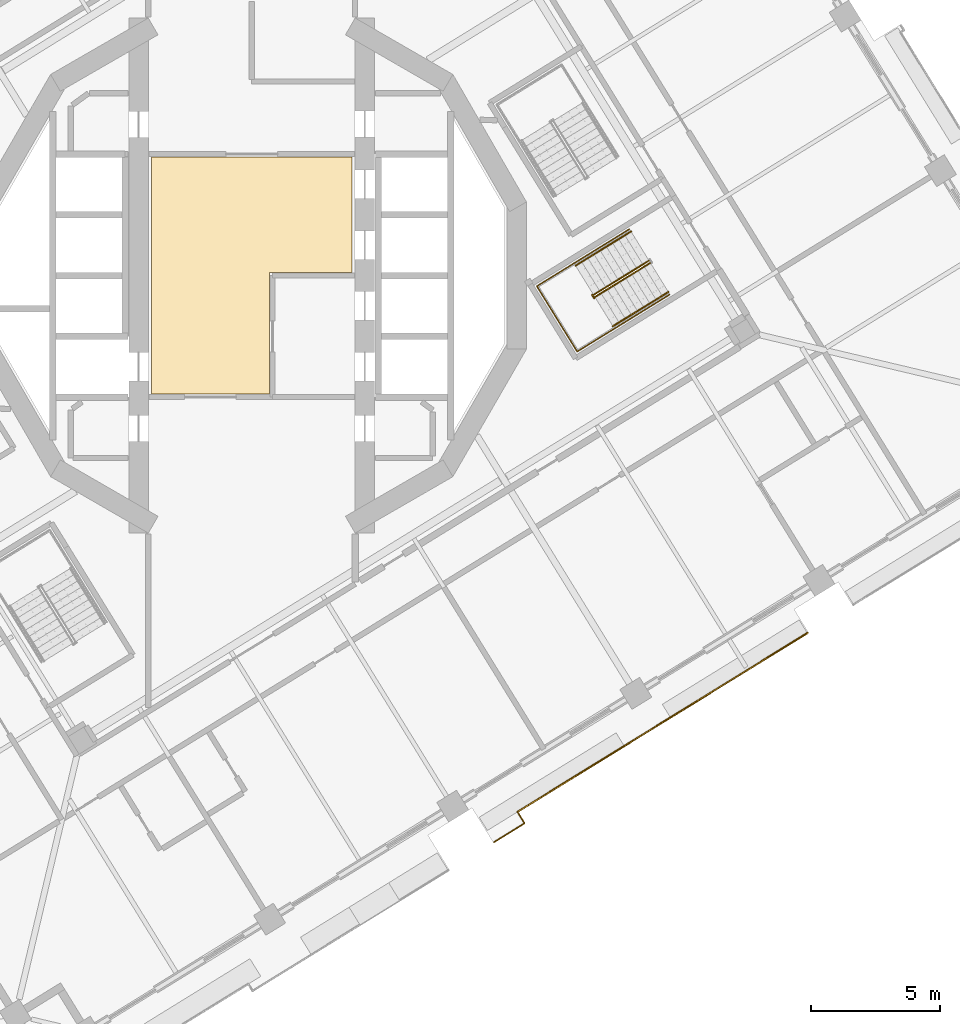
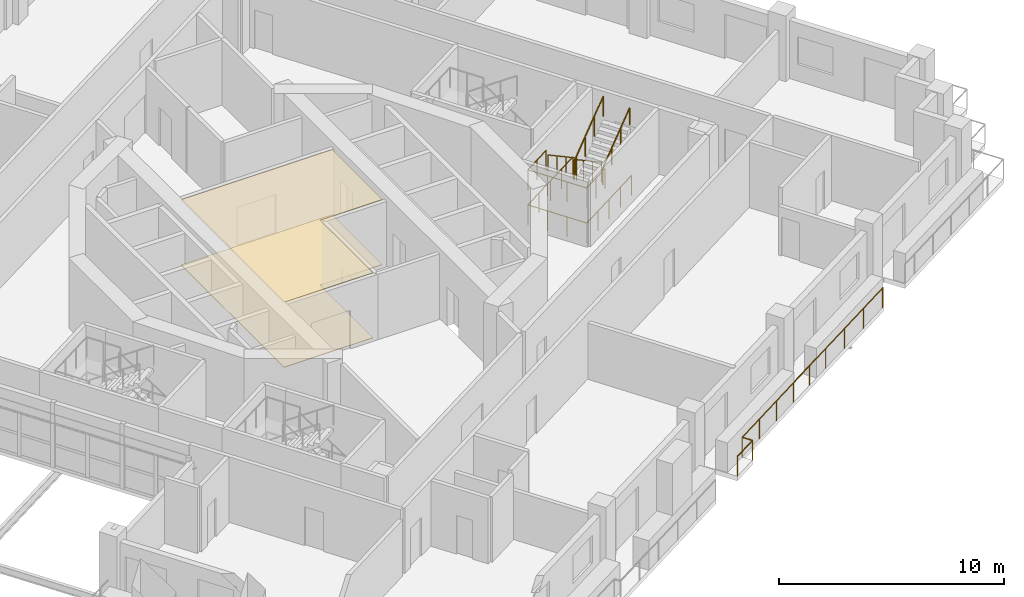
# One storey, part 15 of 20: 8 railings, 2 coverings.
"""IFC4 building model written with IfcOpenShell, lengths in metres."""

from ifc_helpers import new_model, si_unit, direction, frame, origin, origin_2d, place, context, subcontext, project, spatial, polyline, circle, outline, extrude, material, layer, layer_set, type_object, element, save


model = new_model("IFC4")

# Units and contexts
model_context = context("Model", 3, precision=1e-05, world=origin(), true_north=direction((0.0, 1.0)))
body_context = subcontext(model_context, "Body", "Model", "MODEL_VIEW")
ifc_project = project(units=[si_unit("LENGTHUNIT", "METRE"), si_unit("AREAUNIT", "SQUARE_METRE"), si_unit("VOLUMEUNIT", "CUBIC_METRE"), si_unit("PLANEANGLEUNIT", "RADIAN"), si_unit("MASSUNIT", "GRAM", prefix="KILO")], contexts=[model_context])

# Site, building, storey
site_placement = place(None, origin())
site = spatial("IfcSite", under=ifc_project, at=site_placement, CompositionType="ELEMENT")
building_placement = place(site_placement, origin())
building = spatial("IfcBuilding", under=site, at=building_placement, Name="Cantera Rosa Tower", CompositionType="ELEMENT")
storey_placement = place(building_placement, frame((0.0, 0.0, 155.199951171875)))
storey = spatial("IfcBuildingStorey", under=building, at=storey_placement, Name="L33", CompositionType="ELEMENT", Elevation=155.199951171875)

# Railings
ifc_material_1 = material(Name="Stainless steel and laminated glass", Category="steel")
railing_type_1 = type_object("IfcRailingType", Name="GUARD 1100", PredefinedType="BALUSTRADE", material=ifc_material_1)
railing_1_placement = place(storey_placement, frame((10.279541015625, -20.741455078125, 0.0)))
element("IfcRailing", 1, at=railing_1_placement, inside=storey, type_object=railing_type_1, Name="GUARD L33-7", PredefinedType="BALUSTRADE", context=body_context, shape_type="SweptSolid", body=[
    extrude(circle(Radius=0.030029296875, at=origin_2d()), frame((0.0, 0.0, 1.070068359375), z_axis=(0.525013333851, -0.851094001435, 0.0), x_axis=(0.851094001435, 0.525013333851, 0.0)), (0.0, 0.0, 1.0), 0.520263671875),
    extrude(circle(Radius=0.030029296875, at=origin_2d()), frame((0.273193359375, -0.44287109375, 1.070068359375), z_axis=(-0.851091103489, -0.525018031655, 0.0), x_axis=(0.525018031655, -0.851091103489, 0.0)), (0.0, 0.0, 1.0), 1.390380859375),
    extrude(circle(Radius=0.02490234375, at=origin_2d()), origin(), (0.0, 0.0, 1.0), 1.0400390625),
    extrude(circle(Radius=0.02490234375, at=origin_2d()), frame((0.273193359375, -0.44287109375, 0.0)), (0.0, 0.0, 1.0), 1.0400390625),
    extrude(circle(Radius=0.02490234375, at=origin_2d()), frame((-0.91015625, -1.1728515625, 0.0)), (0.0, 0.0, 1.0), 1.0400390625),
])
railing_2_placement = place(storey_placement, frame((21.505615234375, -13.817138671875, 0.0)))
element("IfcRailing", 2, at=railing_2_placement, inside=storey, type_object=railing_type_1, Name="GUARD L33-8", PredefinedType="BALUSTRADE", context=body_context, shape_type="SweptSolid", body=[
    extrude(circle(Radius=0.030029296875, at=origin_2d()), frame((0.0, 0.0, 1.070068359375), z_axis=(-0.850339408664, -0.52623463405, 0.0), x_axis=(0.52623463405, -0.850339408664, 0.0)), (0.0, 0.0, 1.0), 0.070068359375),
    extrude(circle(Radius=0.030029296875, at=origin_2d()), frame((-0.0595703125, -0.036865234375, 1.070068359375), z_axis=(-0.851115851, -0.524977912085, 0.0), x_axis=(0.524977912085, -0.851115851, 0.0)), (0.0, 0.0, 1.0), 5.320068359375),
    extrude(circle(Radius=0.030029296875, at=origin_2d()), frame((-4.587646484375, -2.829833984375, 1.070068359375), z_axis=(-0.851138143202, -0.52494176933, 0.0), x_axis=(0.52494176933, -0.851138143202, 0.0)), (0.0, 0.0, 1.0), 2.999755859375),
    extrude(circle(Radius=0.030029296875, at=origin_2d()), frame((-7.140869140625, -4.404541015625, 1.070068359375), z_axis=(-0.851118219658, -0.524974071899, 0.0), x_axis=(0.524974071899, -0.851118219658, 0.0)), (0.0, 0.0, 1.0), 4.7998046875),
    extrude(circle(Radius=0.02490234375, at=origin_2d()), origin(), (0.0, 0.0, 1.0), 1.0400390625),
    extrude(circle(Radius=0.02490234375, at=origin_2d()), frame((-0.0595703125, -0.036865234375, 0.0)), (0.0, 0.0, 1.0), 1.0400390625),
    extrude(circle(Radius=0.02490234375, at=origin_2d()), frame((-1.56884765625, -0.9677734375, 0.0)), (0.0, 0.0, 1.0), 1.0400390625),
    extrude(circle(Radius=0.02490234375, at=origin_2d()), frame((-3.078369140625, -1.89892578125, 0.0)), (0.0, 0.0, 1.0), 1.0400390625),
    extrude(circle(Radius=0.02490234375, at=origin_2d()), frame((-4.587646484375, -2.829833984375, 0.0)), (0.0, 0.0, 1.0), 1.0400390625),
    extrude(circle(Radius=0.02490234375, at=origin_2d()), frame((-5.8642578125, -3.6171875, 0.0)), (0.0, 0.0, 1.0), 1.0400390625),
    extrude(circle(Radius=0.02490234375, at=origin_2d()), frame((-7.140869140625, -4.404541015625, 0.0)), (0.0, 0.0, 1.0), 1.0400390625),
    extrude(circle(Radius=0.02490234375, at=origin_2d()), frame((-8.502685546875, -5.244384765625, 0.0)), (0.0, 0.0, 1.0), 1.0400390625),
    extrude(circle(Radius=0.02490234375, at=origin_2d()), frame((-9.8642578125, -6.08447265625, 0.0)), (0.0, 0.0, 1.0), 1.0400390625),
    extrude(circle(Radius=0.02490234375, at=origin_2d()), frame((-11.22607421875, -6.92431640625, 0.0)), (0.0, 0.0, 1.0), 1.0400390625),
])
ifc_material_2 = material(Name="Steel S355J2 (EN 10025-2)", Category="steel")
railing_type_2 = type_object("IfcRailingType", Name="STAIR GUARD 1100", PredefinedType="GUARDRAIL", material=ifc_material_2)
railing_3_placement = place(storey_placement, frame((15.36572265625, 0.57666015625, 0.18994140625)))
element("IfcRailing", 3, at=railing_3_placement, inside=storey, type_object=railing_type_2, Name="L33 ST-34 stair guard 1", PredefinedType="GUARDRAIL", context=body_context, shape_type="SweptSolid", body=[
    extrude(circle(Radius=0.02392578125, at=origin_2d()), frame((0.0, 0.0, 1.076171875), z_axis=(-0.704239673199, -0.434408057947, 0.561547969352), x_axis=(0.524999832248, -0.851102330005, 0.0)), (0.0, 0.0, 1.0), 3.04541015625),
    extrude(circle(Radius=0.02392578125, at=origin_2d()), frame((-2.144775390625, -1.322998046875, 2.7861328125), z_axis=(-0.997279572494, -0.073711968402, 0.0), x_axis=(0.073711968402, -0.997279572494, 0.0)), (0.0, 0.0, 1.0), 0.056396484375),
    extrude(circle(Radius=0.02392578125, at=origin_2d()), frame((-2.200927734375, -1.3271484375, 2.7861328125), z_axis=(0.525458245725, -0.850819388589, 0.0), x_axis=(0.850819388589, 0.525458245725, 0.0)), (0.0, 0.0, 1.0), 0.150146484375),
    extrude(circle(Radius=0.02099609375, at=origin_2d()), origin(), (0.0, 0.0, 1.0), 1.052001953125),
    extrude(circle(Radius=0.02099609375, at=origin_2d()), frame((-0.71484375, -0.44091796875, 0.570068359375)), (0.0, 0.0, 1.0), 1.052001953125),
    extrude(circle(Radius=0.02099609375, at=origin_2d()), frame((-1.429931640625, -0.882080078125, 1.14013671875)), (0.0, 0.0, 1.0), 1.052001953125),
    extrude(circle(Radius=0.02099609375, at=origin_2d()), frame((-2.144775390625, -1.322998046875, 1.710205078125)), (0.0, 0.0, 1.0), 1.052001953125),
    extrude(circle(Radius=0.02099609375, at=origin_2d()), frame((-2.200927734375, -1.3271484375, 1.710205078125)), (0.0, 0.0, 1.0), 1.052001953125),
    extrude(circle(Radius=0.02099609375, at=origin_2d()), frame((-2.1220703125, -1.454833984375, 1.710205078125)), (0.0, 0.0, 1.0), 1.052001953125),
])
railing_4_placement = place(storey_placement, frame((13.2724609375, -0.82958984375, 2.090087890625)))
element("IfcRailing", 4, at=railing_4_placement, inside=storey, type_object=railing_type_2, Name="L33 ST-34 stair guard 2", PredefinedType="GUARDRAIL", context=body_context, shape_type="SweptSolid", body=[
    extrude(circle(Radius=0.02392578125, at=origin_2d()), frame((0.0, 0.0, 1.076171875), z_axis=(0.70429590169, 0.434362572038, 0.561512634654), x_axis=(-0.524929648476, 0.851145618652, 0.0)), (0.0, 0.0, 1.0), 3.045166015625),
    extrude(circle(Radius=0.02099609375, at=origin_2d()), origin(), (0.0, 0.0, 1.0), 1.052001953125),
    extrude(circle(Radius=0.02099609375, at=origin_2d()), frame((0.71484375, 0.44091796875, 0.570068359375)), (0.0, 0.0, 1.0), 1.052001953125),
    extrude(circle(Radius=0.02099609375, at=origin_2d()), frame((1.429931640625, 0.8818359375, 1.139892578125)), (0.0, 0.0, 1.0), 1.052001953125),
    extrude(circle(Radius=0.02099609375, at=origin_2d()), frame((2.144775390625, 1.32275390625, 1.7099609375)), (0.0, 0.0, 1.0), 1.052001953125),
])
railing_5_placement = place(storey_placement, frame((14.601806640625, 1.79248046875, 0.0)))
element("IfcRailing", 5, at=railing_5_placement, inside=storey, type_object=railing_type_2, Name="L33 ST-34 stair guard 4", PredefinedType="GUARDRAIL", context=body_context, shape_type="SweptSolid", body=[
    extrude(circle(Radius=0.02392578125, at=origin_2d()), frame((0.0, 0.0, 1.076171875), z_axis=(-0.851116735059, -0.524976478809, 0.0), x_axis=(0.524976478809, -0.851116735059, 0.0)), (0.0, 0.0, 1.0), 4.197998046875),
    extrude(circle(Radius=0.02392578125, at=origin_2d()), frame((-3.572998046875, -2.203857421875, 1.076171875), z_axis=(0.524950242429, -0.851132917336, 0.0), x_axis=(0.851132917336, 0.524950242429, 0.0)), (0.0, 0.0, 1.0), 2.969970703125),
    extrude(circle(Radius=0.02392578125, at=origin_2d()), frame((-2.013916015625, -4.731689453125, 1.076171875), z_axis=(0.851116735059, 0.524976478809, 0.0), x_axis=(-0.524976478809, 0.851116735059, 0.0)), (0.0, 0.0, 1.0), 4.197998046875),
    extrude(circle(Radius=0.02099609375, at=origin_2d()), origin(), (0.0, 0.0, 1.0), 1.052001953125),
    extrude(circle(Radius=0.02099609375, at=origin_2d()), frame((-0.893310546875, -0.551025390625, 0.0)), (0.0, 0.0, 1.0), 1.052001953125),
    extrude(circle(Radius=0.02099609375, at=origin_2d()), frame((-1.78662109375, -1.10205078125, 0.0)), (0.0, 0.0, 1.0), 1.052001953125),
    extrude(circle(Radius=0.02099609375, at=origin_2d()), frame((-2.6796875, -1.65283203125, 0.0)), (0.0, 0.0, 1.0), 1.052001953125),
    extrude(circle(Radius=0.02099609375, at=origin_2d()), frame((-3.572998046875, -2.203857421875, 0.0)), (0.0, 0.0, 1.0), 1.052001953125),
    extrude(circle(Radius=0.02099609375, at=origin_2d()), frame((-3.05322265625, -3.04638671875, 0.0)), (0.0, 0.0, 1.0), 1.052001953125),
    extrude(circle(Radius=0.02099609375, at=origin_2d()), frame((-2.53369140625, -3.88916015625, 0.0)), (0.0, 0.0, 1.0), 1.052001953125),
    extrude(circle(Radius=0.02099609375, at=origin_2d()), frame((-2.013916015625, -4.731689453125, 0.0)), (0.0, 0.0, 1.0), 1.052001953125),
    extrude(circle(Radius=0.02099609375, at=origin_2d()), frame((-1.12060546875, -4.1806640625, 0.0)), (0.0, 0.0, 1.0), 1.052001953125),
    extrude(circle(Radius=0.02099609375, at=origin_2d()), frame((-0.2275390625, -3.6298828125, 0.0)), (0.0, 0.0, 1.0), 1.052001953125),
    extrude(circle(Radius=0.02099609375, at=origin_2d()), frame((0.665771484375, -3.078857421875, 0.0)), (0.0, 0.0, 1.0), 1.052001953125),
    extrude(circle(Radius=0.02099609375, at=origin_2d()), frame((1.55908203125, -2.52783203125, 0.0)), (0.0, 0.0, 1.0), 1.052001953125),
])
railing_6_placement = place(storey_placement, frame((12.477294921875, 0.482177734375, 1.900146484375)))
element("IfcRailing", 6, at=railing_6_placement, inside=storey, type_object=railing_type_2, Name="L33 ST-34 stair guard 5", PredefinedType="GUARDRAIL", context=body_context, shape_type="SweptSolid", body=[
    extrude(circle(Radius=0.02392578125, at=origin_2d()), frame((0.0, 0.0, 1.076171875), z_axis=(-0.851086474909, -0.525025534833, 0.0), x_axis=(0.525025534833, -0.851086474909, 0.0)), (0.0, 0.0, 1.0), 1.701904296875),
    extrude(circle(Radius=0.02392578125, at=origin_2d()), frame((-1.448486328125, -0.8935546875, 1.076171875), z_axis=(0.524950242429, -0.851132917336, 0.0), x_axis=(0.851132917336, 0.524950242429, 0.0)), (0.0, 0.0, 1.0), 2.969970703125),
    extrude(circle(Radius=0.02392578125, at=origin_2d()), frame((0.110595703125, -3.42138671875, 1.076171875), z_axis=(0.851126009811, 0.524961441845, 0.0), x_axis=(-0.524961441845, 0.851126009811, 0.0)), (0.0, 0.0, 1.0), 1.7021484375),
    extrude(circle(Radius=0.02099609375, at=origin_2d()), origin(), (0.0, 0.0, 1.0), 1.052001953125),
    extrude(circle(Radius=0.02099609375, at=origin_2d()), frame((-0.72412109375, -0.44677734375, 0.0)), (0.0, 0.0, 1.0), 1.052001953125),
    extrude(circle(Radius=0.02099609375, at=origin_2d()), frame((-1.448486328125, -0.8935546875, 0.0)), (0.0, 0.0, 1.0), 1.052001953125),
    extrude(circle(Radius=0.02099609375, at=origin_2d()), frame((-0.9287109375, -1.736083984375, 0.0)), (0.0, 0.0, 1.0), 1.052001953125),
    extrude(circle(Radius=0.02099609375, at=origin_2d()), frame((-0.4091796875, -2.578857421875, 0.0)), (0.0, 0.0, 1.0), 1.052001953125),
    extrude(circle(Radius=0.02099609375, at=origin_2d()), frame((0.110595703125, -3.42138671875, 0.0)), (0.0, 0.0, 1.0), 1.052001953125),
    extrude(circle(Radius=0.02099609375, at=origin_2d()), frame((0.8349609375, -2.974609375, 0.0)), (0.0, 0.0, 1.0), 1.052001953125),
    extrude(circle(Radius=0.02099609375, at=origin_2d()), frame((1.559326171875, -2.52783203125, 0.0)), (0.0, 0.0, 1.0), 1.052001953125),
])
ifc_material_3 = material(Name="Steel S355J2 (EN 10025-2)", Category="steel")
railing_type_3 = type_object("IfcRailingType", Name="STAIR HANDRAIL 900", PredefinedType="HANDRAIL", material=ifc_material_3)
railing_7_placement = place(storey_placement, frame((14.669677734375, 1.705322265625, 0.18994140625)))
element("IfcRailing", 7, at=railing_7_placement, inside=storey, type_object=railing_type_3, Name="L33 ST-34 stair handrail 1", PredefinedType="HANDRAIL", context=body_context, shape_type="SweptSolid", body=[
    extrude(circle(Radius=0.02392578125, at=origin_2d()), frame((0.0, 0.0, 0.8759765625), z_axis=(-0.704239673199, -0.434408057947, 0.561547969352), x_axis=(0.524999832248, -0.851102330005, 0.0)), (0.0, 0.0, 1.0), 3.04541015625),
    extrude(circle(Radius=0.02099609375, at=origin_2d()), origin(), (0.0, 0.0, 1.0), 0.851806640625),
    extrude(circle(Radius=0.02099609375, at=origin_2d()), frame((-0.71484375, -0.44091796875, 0.570068359375)), (0.0, 0.0, 1.0), 0.851806640625),
    extrude(circle(Radius=0.02099609375, at=origin_2d()), frame((-1.429931640625, -0.882080078125, 1.14013671875)), (0.0, 0.0, 1.0), 0.851806640625),
    extrude(circle(Radius=0.02099609375, at=origin_2d()), frame((-2.144775390625, -1.322998046875, 1.710205078125)), (0.0, 0.0, 1.0), 0.851806640625),
])
railing_8_placement = place(storey_placement, frame((13.968505859375, -1.958251953125, 2.090087890625)))
element("IfcRailing", 8, at=railing_8_placement, inside=storey, type_object=railing_type_3, Name="L33 ST-34 stair handrail 2", PredefinedType="HANDRAIL", context=body_context, shape_type="SweptSolid", body=[
    extrude(circle(Radius=0.02392578125, at=origin_2d()), frame((0.0, 0.0, 0.8759765625), z_axis=(0.704311776172, 0.434403086168, 0.561461379502), x_axis=(-0.524956545799, 0.851129029597, 0.0)), (0.0, 0.0, 1.0), 3.045654296875),
    extrude(circle(Radius=0.02099609375, at=origin_2d()), origin(), (0.0, 0.0, 1.0), 0.851806640625),
    extrude(circle(Radius=0.02099609375, at=origin_2d()), frame((0.715087890625, 0.44091796875, 0.570068359375)), (0.0, 0.0, 1.0), 0.851806640625),
    extrude(circle(Radius=0.02099609375, at=origin_2d()), frame((1.429931640625, 0.882080078125, 1.139892578125)), (0.0, 0.0, 1.0), 0.851806640625),
    extrude(circle(Radius=0.02099609375, at=origin_2d()), frame((2.14501953125, 1.322998046875, 1.7099609375)), (0.0, 0.0, 1.0), 0.851806640625),
])

# Coverings
ifc_material_4 = material(Name="Limestone paving", Category="masonry")
ifc_layer_1 = layer(ifc_material_4, 0.02490234375)
ifc_layer_set_1 = layer_set([ifc_layer_1], Name="STONE FLOOR FINISH 25")
covering_type_1 = type_object("IfcCoveringType", Name="STONE FLOOR FINISH 25", PredefinedType="FLOORING", material=ifc_layer_set_1)
covering_1_placement = place(storey_placement, origin())
element("IfcCovering", 9, at=covering_1_placement, inside=storey, type_object=covering_type_1, Name="STONE FLOOR FINISH L33", PredefinedType="FLOORING", context=body_context, shape_type="SweptSolid", body=[
    extrude(outline(polyline([(3.8798828125, 4.580078125), (3.8798828125, 0.1201171875), (0.679931640625, 0.1201171875), (0.679931640625, -4.580078125), (-3.8798828125, -4.580078125), (-3.8798828125, 4.580078125), (3.8798828125, 4.580078125)])), origin(), (0.0, 0.0, 1.0), 0.025146484375),
])
ifc_material_5 = material(Name="Gypsum ceiling tile")
ifc_layer_2 = layer(ifc_material_5, 0.030029296875)
ifc_layer_set_2 = layer_set([ifc_layer_2], Name="SUSPENDED CEILING 30")
covering_type_2 = type_object("IfcCoveringType", Name="SUSPENDED CEILING 30", PredefinedType="CEILING", material=ifc_layer_set_2)
covering_2_placement = place(storey_placement, frame((0.0, 0.0, 3.52001953125)))
element("IfcCovering", 10, at=covering_2_placement, inside=storey, type_object=covering_type_2, Name="SUSPENDED CEILING L33", PredefinedType="CEILING", context=body_context, shape_type="SweptSolid", body=[
    extrude(outline(polyline([(3.8798828125, 4.580078125), (3.8798828125, 0.1201171875), (0.679931640625, 0.1201171875), (0.679931640625, -4.580078125), (-3.8798828125, -4.580078125), (-3.8798828125, 4.580078125), (3.8798828125, 4.580078125)])), origin(), (0.0, 0.0, 1.0), 0.030029296875),
])

save(model, "model.ifc")
